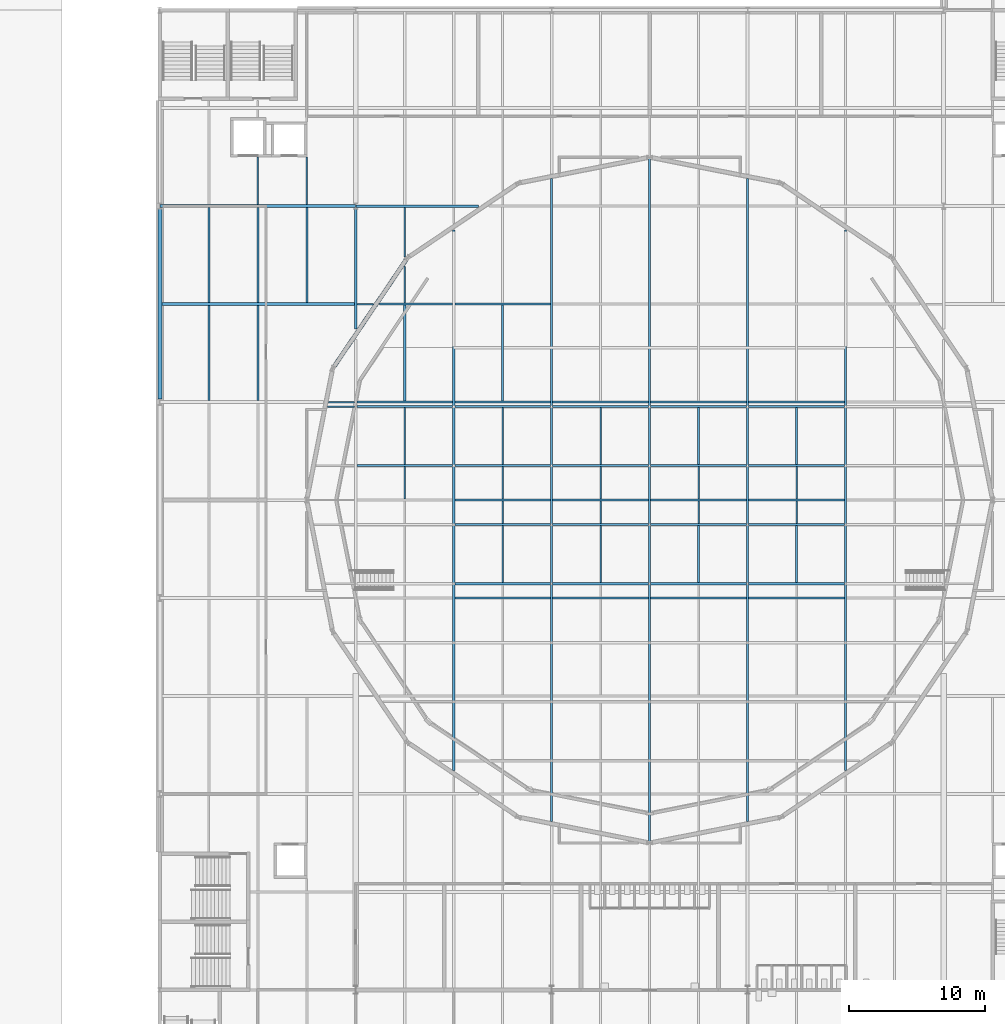
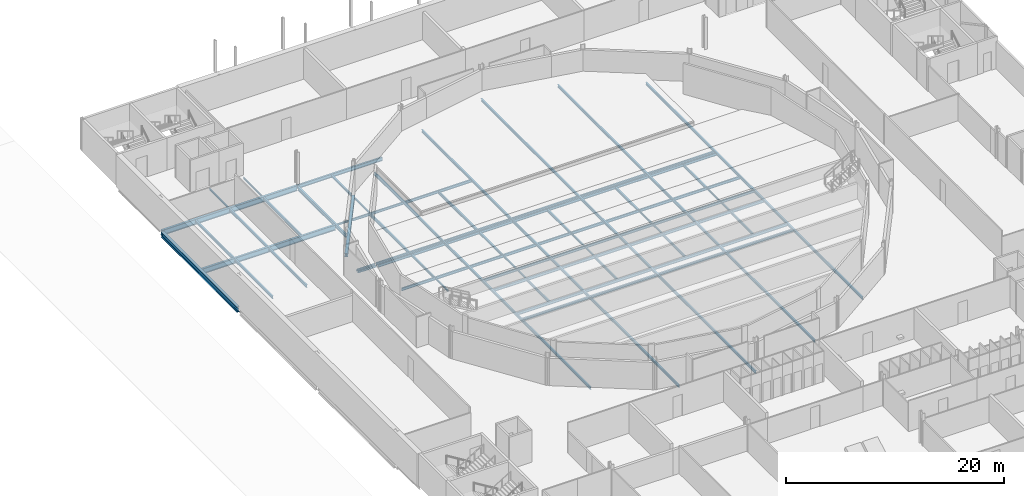
# One storey, part 33 of 90: 76 beams.
"""IFC4 building model written with IfcOpenShell, lengths in metres."""

import ifcopenshell
import ifcopenshell.guid

model = None  # the IFC model being written
_history = None  # IfcOwnerHistory: only IFC2X3 demands one
_inside = {}  # id of a spatial element -> (the spatial element, [elements in it])
_under = {}  # id of a project, library or spatial element -> (it, [spatial elements below it])
_declared = {}  # id of a project -> (the project, [libraries it declares])
_typed = {}  # id of a type object -> (the type object, [elements of that type])
_made_of = {}  # id of a material, layer set ... -> (it, [elements and type objects made of it])


def new_model(schema):
    """Start an empty IFC model of exactly this schema.

    Asked for "IFC4X3", IfcOpenShell would pick the latest addendum, in which some entities
    have other attributes; the version numbers below select the first issue.
    IFC2X3 requires an IfcOwnerHistory on every rooted entity: one is made here for all.
    """
    global model, _history
    if schema == "IFC4X3":
        model = ifcopenshell.file(schema_version=(4, 3, 0, 0))
    else:
        model = ifcopenshell.file(schema=schema)
    _inside.clear()
    _under.clear()
    _declared.clear()
    _typed.clear()
    _made_of.clear()
    _history = None
    if model.schema == "IFC2X3":
        org = make("IfcOrganization", Name="unknown")
        user = make(
            "IfcPersonAndOrganization",
            ThePerson=make("IfcPerson", FamilyName="unknown"),
            TheOrganization=org,
        )
        app = make(
            "IfcApplication",
            ApplicationDeveloper=org,
            Version="unknown",
            ApplicationFullName="unknown",
            ApplicationIdentifier="unknown",
        )
        _history = make(
            "IfcOwnerHistory",
            OwningUser=user,
            OwningApplication=app,
            ChangeAction="ADDED",
            CreationDate=0,
        )
    return model


def make(cls, **values):
    """One entity of the class cls with the attributes given. An attribute that is None is left unset."""
    return model.create_entity(
        cls, **{name: value for name, value in values.items() if value is not None}
    )


def rooted(cls, **values):
    """An entity with a GlobalId (a new one), such as an element, a storey or a relation."""
    return make(cls, GlobalId=ifcopenshell.guid.new(), OwnerHistory=_history, **values)


def si_unit(unit_type, name, prefix=None):
    """IfcSIUnit, for example si_unit("LENGTHUNIT", "METRE", prefix="MILLI")."""
    return make("IfcSIUnit", UnitType=unit_type, Prefix=prefix, Name=name)


def assignment(units):
    """IfcUnitAssignment: the units of a project."""
    return None if units is None else make("IfcUnitAssignment", Units=units)


def point(xyz):
    """IfcCartesianPoint."""
    return None if xyz is None else make("IfcCartesianPoint", Coordinates=xyz)


def direction(xyz):
    """IfcDirection."""
    return None if xyz is None else make("IfcDirection", DirectionRatios=xyz)


def frame(location, z_axis=None, x_axis=None):
    """IfcAxis2Placement3D, a coordinate frame: its origin and axes. An axis left out is left unset."""
    return make(
        "IfcAxis2Placement3D",
        Location=point(location),
        Axis=direction(z_axis),
        RefDirection=direction(x_axis),
    )


def frame_2d(location, x_axis=None):
    """IfcAxis2Placement2D, a coordinate frame in the plane: its origin and x axis."""
    return make(
        "IfcAxis2Placement2D", Location=point(location), RefDirection=direction(x_axis)
    )


def origin():
    """The frame at (0, 0, 0) with its axes left unset."""
    return frame((0.0, 0.0, 0.0))


def origin_2d():
    """The frame at (0, 0) in the plane with its x axis left unset."""
    return frame_2d((0.0, 0.0))


def place(relative_to, where):
    """IfcLocalPlacement: puts the frame where relative to a parent placement (None: the world)."""
    return make(
        "IfcLocalPlacement", PlacementRelTo=relative_to, RelativePlacement=where
    )


def context(
    kind, dimensions, precision=None, world=None, true_north=None, identifier=None
):
    """IfcGeometricRepresentationContext, for example the 3D "Model" context."""
    return make(
        "IfcGeometricRepresentationContext",
        ContextIdentifier=identifier,
        ContextType=kind,
        CoordinateSpaceDimension=dimensions,
        Precision=precision,
        WorldCoordinateSystem=world,
        TrueNorth=true_north,
    )


def subcontext(parent, identifier, kind, view, scale=None):
    """IfcGeometricRepresentationSubContext, for example "Body" below "Model"."""
    return make(
        "IfcGeometricRepresentationSubContext",
        ContextIdentifier=identifier,
        ContextType=kind,
        ParentContext=parent,
        TargetScale=scale,
        TargetView=view,
    )


def project(units=None, contexts=None):
    """IfcProject with its units and contexts."""
    return rooted(
        "IfcProject",
        Name="project",
        RepresentationContexts=contexts,
        UnitsInContext=assignment(units),
    )


def spatial(cls, under=None, at=None, **own):
    """A site, building, storey or space (cls), placed at a placement, below another one or the project."""
    s = rooted(cls, ObjectPlacement=at, **own)
    if under is not None:
        _under.setdefault(under.id(), (under, []))[1].append(s)
    return s


def profile(cls, at=None, kind="AREA", **sizes):
    """A parametric profile (cls). Its sizes go by their IFC names, for example OverallWidth=200.0."""
    return make(cls, ProfileType=kind, Position=at, **sizes)


def i_section(**sizes):
    """IfcIShapeProfileDef."""
    return profile("IfcIShapeProfileDef", **sizes)


def extrude(swept, where, along, depth):
    """IfcExtrudedAreaSolid: the profile swept, set in the frame where, extruded along a direction by depth."""
    return make(
        "IfcExtrudedAreaSolid",
        SweptArea=swept,
        Position=where,
        ExtrudedDirection=direction(along),
        Depth=depth,
    )


def shape(context_of_items, identifier, shape_type, items):
    """IfcShapeRepresentation: the items that make up one representation, for example the "Body"."""
    return make(
        "IfcShapeRepresentation",
        ContextOfItems=context_of_items,
        RepresentationIdentifier=identifier,
        RepresentationType=shape_type,
        Items=items,
    )


def material(Name=None, Category=None):
    """IfcMaterial."""
    return make("IfcMaterial", Name=Name, Category=Category)


def material_profile(
    of_material, cross_section, Name=None, Category=None, Priority=None
):
    """IfcMaterialProfile: a cross section and its material."""
    return make(
        "IfcMaterialProfile",
        Name=Name,
        Material=of_material,
        Profile=cross_section,
        Priority=Priority,
        Category=Category,
    )


def profile_set(profiles, Name=None, composite=None):
    """IfcMaterialProfileSet."""
    return make(
        "IfcMaterialProfileSet",
        Name=Name,
        MaterialProfiles=profiles,
        CompositeProfile=composite,
    )


def made_of(thing, what):
    """Note that an element or type object is made of a material, layer set ...; save() writes the relation."""
    if what is not None:
        _made_of.setdefault(what.id(), (what, []))[1].append(thing)
    return thing


def type_object(cls, material=None, **own):
    """A type object (cls), such as IfcWallType, which elements share."""
    return made_of(rooted(cls, **own), material)


def element(
    cls,
    number,
    at=None,
    inside=None,
    cuts=None,
    type_object=None,
    material=None,
    context=None,
    identifier="Body",
    shape_type=None,
    held_by="IfcProductDefinitionShape",
    body=None,
    shapes=None,
    **own,
):
    """One element of the class cls, such as IfcWall. Its Tag is "e" and its number.

    at: its placement. inside: the storey or other place that contains it. cuts: it is an
    opening in that element (IfcRelVoidsElement). A single representation is given by context,
    identifier, shape_type and body (its items); several are given by shapes. held_by: the class
    of the entity that holds the representations. save() writes the other relations.
    """
    e = rooted(cls, Tag="e%d" % number, ObjectPlacement=at, **own)
    if body is not None:
        shapes = [shape(context, identifier, shape_type, body)]
    if shapes is not None:
        e.Representation = make(held_by, Representations=shapes)
    if inside is not None:
        _inside.setdefault(inside.id(), (inside, []))[1].append(e)
    if cuts is not None:
        rooted(
            "IfcRelVoidsElement", RelatingBuildingElement=cuts, RelatedOpeningElement=e
        )
    if type_object is not None:
        _typed.setdefault(type_object.id(), (type_object, []))[1].append(e)
    return made_of(e, material)


def aggregate(whole, parts):
    """IfcRelAggregates: a whole, such as a stair, and the parts it consists of."""
    return rooted("IfcRelAggregates", RelatingObject=whole, RelatedObjects=parts)


def save(model, path):
    """Write the relations noted so far, then the file.

    IfcRelAggregates (storeys below a building ...), IfcRelContainedInSpatialStructure (elements
    in a storey), IfcRelDefinesByType, IfcRelAssociatesMaterial and IfcRelDeclares: one each for
    every whole, place, type object, material and project.
    """
    for whole, parts in _under.values():
        aggregate(whole, parts)
    for where, things in _inside.values():
        rooted(
            "IfcRelContainedInSpatialStructure",
            RelatedElements=things,
            RelatingStructure=where,
        )
    for kind, things in _typed.values():
        rooted("IfcRelDefinesByType", RelatedObjects=things, RelatingType=kind)
    for what, things in _made_of.values():
        rooted("IfcRelAssociatesMaterial", RelatedObjects=things, RelatingMaterial=what)
    for by, libraries in _declared.values():
        rooted("IfcRelDeclares", RelatingContext=by, RelatedDefinitions=libraries)
    model.write(path)


model = new_model("IFC4")

# Units and contexts
model_context = context("Model", 3, precision=1e-05, world=origin(), true_north=direction((0.0, 1.0)))
body_context = subcontext(model_context, "Body", "Model", "MODEL_VIEW")
ifc_project = project(units=[si_unit("LENGTHUNIT", "METRE"), si_unit("AREAUNIT", "SQUARE_METRE"), si_unit("VOLUMEUNIT", "CUBIC_METRE"), si_unit("PLANEANGLEUNIT", "RADIAN"), si_unit("MASSUNIT", "GRAM", prefix="KILO")], contexts=[model_context])

# Site, building, storey
site_placement = place(None, origin())
site = spatial("IfcSite", under=ifc_project, at=site_placement, CompositionType="ELEMENT")
building_placement = place(site_placement, origin())
building = spatial("IfcBuilding", under=site, at=building_placement, Name="Kupolbacken Congress Centre", CompositionType="ELEMENT")
storey_placement = place(building_placement, frame((0.0, 0.0, 3.60009765625)))
storey = spatial("IfcBuildingStorey", under=building, at=storey_placement, Name="L01", CompositionType="ELEMENT", Elevation=3.60009765625)

# Beams
ifc_material_1 = material(Name="Steel S355", Category="steel")
ifc_material_profile_1 = material_profile(ifc_material_1, i_section(OverallWidth=0.10009765625, OverallDepth=0.199951171875, WebThickness=0.005615234375, FlangeThickness=0.008544921875, FilletRadius=0.011962890625, at=origin_2d()), Name="IPE 200")
ifc_profile_set_1 = profile_set([ifc_material_profile_1], Name="Steel S355")
beam_type_1 = type_object("IfcBeamType", Name="B01 beam IPE 200", PredefinedType="BEAM", material=ifc_profile_set_1)
beam_1_placement = place(storey_placement, frame((21.68994140625, 100.800048828125, -0.2900390625), z_axis=(1.0, 0.0, 0.0), x_axis=(0.0, 1.0, 0.0)))
element("IfcBeam", 1, at=beam_1_placement, inside=storey, type_object=beam_type_1, Name="S/floor/P/L01/R058", PredefinedType="BEAM", context=body_context, shape_type="SweptSolid", body=[
    extrude(i_section(OverallWidth=0.10009765625, OverallDepth=0.199951171875, WebThickness=0.005615234375, FlangeThickness=0.008544921875, FilletRadius=0.011962890625, at=origin_2d()), origin(), (0.0, 0.0, 1.0), 1.200927734375),
])
for number, where, z_axis, x_axis, name in (
    (2, (14.39990234375, 108.110107421875, -0.2900390625), (0.0, 1.0, 0.0), (-1.0, 0.0, 0.0), "S/floor/P/L01/S093"),
    (3, (18.0, 108.110107421875, -0.2900390625), (0.0, 1.0, 0.0), (-1.0, 0.0, 0.0), "S/floor/P/L01/S170"),
):
    element("IfcBeam", number, at=place(storey_placement, frame(where, z_axis=z_axis, x_axis=x_axis)), inside=storey, type_object=beam_type_1, Name=name, PredefinedType="BEAM", context=body_context, shape_type="SweptSolid", body=[
        extrude(i_section(OverallWidth=0.10009765625, OverallDepth=0.199951171875, WebThickness=0.005615234375, FlangeThickness=0.008544921875, FilletRadius=0.011962890625, at=origin_2d()), origin(), (0.0, 0.0, 1.0), 3.489990234375),
    ])
beam_2_placement = place(storey_placement, frame((19.580322265625, 93.60009765625, -0.2900390625), z_axis=(1.0, 0.0, 0.0), x_axis=(0.0, 1.0, 0.0)))
element("IfcBeam", 4, at=beam_2_placement, inside=storey, type_object=beam_type_1, Name="S/floor/PL/L01/R034", PredefinedType="BEAM", context=body_context, shape_type="SweptSolid", body=[
    extrude(i_section(OverallWidth=0.10009765625, OverallDepth=0.199951171875, WebThickness=0.005615234375, FlangeThickness=0.008544921875, FilletRadius=0.011962890625, at=origin_2d()), origin(), (0.0, 0.0, 1.0), 1.944580078125),
])
beam_3_placement = place(storey_placement, frame((19.513671875, 93.261962890625, -0.2900390625), z_axis=(1.0, 0.0, 0.0), x_axis=(0.0, 1.0, 0.0)))
element("IfcBeam", 5, at=beam_3_placement, inside=storey, type_object=beam_type_1, Name="S/floor/PL/L01/R052", PredefinedType="BEAM", context=body_context, shape_type="SweptSolid", body=[
    extrude(i_section(OverallWidth=0.10009765625, OverallDepth=0.199951171875, WebThickness=0.005615234375, FlangeThickness=0.008544921875, FilletRadius=0.011962890625, at=origin_2d()), origin(), (0.0, 0.0, 1.0), 2.01123046875),
])
beam_4_placement = place(storey_placement, frame((25.199951171875, 86.47509765625, -0.2900390625), z_axis=(0.0, 1.0, 0.0), x_axis=(-1.0, 0.0, 0.0)))
element("IfcBeam", 6, at=beam_4_placement, inside=storey, type_object=beam_type_1, Name="S/floor/PL/L01/S110", PredefinedType="BEAM", context=body_context, shape_type="SweptSolid", body=[
    extrude(i_section(OverallWidth=0.10009765625, OverallDepth=0.199951171875, WebThickness=0.005615234375, FlangeThickness=0.008544921875, FilletRadius=0.011962890625, at=origin_2d()), origin(), (0.0, 0.0, 1.0), 2.375),
])
beam_5_placement = place(storey_placement, frame((25.199951171875, 100.867431640625, -0.2900390625), z_axis=(0.0, 1.0, 0.0), x_axis=(-1.0, 0.0, 0.0)))
element("IfcBeam", 7, at=beam_5_placement, inside=storey, type_object=beam_type_1, Name="S/floor/PL/L01/S113", PredefinedType="BEAM", context=body_context, shape_type="SweptSolid", body=[
    extrude(i_section(OverallWidth=0.10009765625, OverallDepth=0.199951171875, WebThickness=0.005615234375, FlangeThickness=0.008544921875, FilletRadius=0.011962890625, at=origin_2d()), origin(), (0.0, 0.0, 1.0), 2.69384765625),
])
beam_6_placement = place(storey_placement, frame((32.39990234375, 84.662109375, -0.2900390625), z_axis=(0.0, 1.0, 0.0), x_axis=(-1.0, 0.0, 0.0)))
element("IfcBeam", 8, at=beam_6_placement, inside=storey, type_object=beam_type_1, Name="S/floor/PL/L01/S121", PredefinedType="BEAM", context=body_context, shape_type="SweptSolid", body=[
    extrude(i_section(OverallWidth=0.10009765625, OverallDepth=0.199951171875, WebThickness=0.005615234375, FlangeThickness=0.008544921875, FilletRadius=0.011962890625, at=origin_2d()), origin(), (0.0, 0.0, 1.0), 1.662841796875),
])
beam_7_placement = place(storey_placement, frame((32.39990234375, 86.47509765625, -0.2900390625), z_axis=(0.0, 1.0, 0.0), x_axis=(-1.0, 0.0, 0.0)))
element("IfcBeam", 9, at=beam_7_placement, inside=storey, type_object=beam_type_1, Name="S/floor/PL/L01/S122", PredefinedType="BEAM", context=body_context, shape_type="SweptSolid", body=[
    extrude(i_section(OverallWidth=0.10009765625, OverallDepth=0.199951171875, WebThickness=0.005615234375, FlangeThickness=0.008544921875, FilletRadius=0.011962890625, at=origin_2d()), origin(), (0.0, 0.0, 1.0), 2.375),
])
beam_8_placement = place(storey_placement, frame((39.60009765625, 84.662109375, -0.2900390625), z_axis=(0.0, 1.0, 0.0), x_axis=(-1.0, 0.0, 0.0)))
element("IfcBeam", 10, at=beam_8_placement, inside=storey, type_object=beam_type_1, Name="S/floor/PL/L01/S134", PredefinedType="BEAM", context=body_context, shape_type="SweptSolid", body=[
    extrude(i_section(OverallWidth=0.10009765625, OverallDepth=0.199951171875, WebThickness=0.005615234375, FlangeThickness=0.008544921875, FilletRadius=0.011962890625, at=origin_2d()), origin(), (0.0, 0.0, 1.0), 1.662841796875),
])
beam_9_placement = place(storey_placement, frame((39.60009765625, 86.47509765625, -0.2900390625), z_axis=(0.0, 1.0, 0.0), x_axis=(-1.0, 0.0, 0.0)))
element("IfcBeam", 11, at=beam_9_placement, inside=storey, type_object=beam_type_1, Name="S/floor/PL/L01/S135", PredefinedType="BEAM", context=body_context, shape_type="SweptSolid", body=[
    extrude(i_section(OverallWidth=0.10009765625, OverallDepth=0.199951171875, WebThickness=0.005615234375, FlangeThickness=0.008544921875, FilletRadius=0.011962890625, at=origin_2d()), origin(), (0.0, 0.0, 1.0), 2.375),
])
beam_10_placement = place(storey_placement, frame((46.800048828125, 84.662109375, -0.2900390625), z_axis=(0.0, 1.0, 0.0), x_axis=(-1.0, 0.0, 0.0)))
element("IfcBeam", 12, at=beam_10_placement, inside=storey, type_object=beam_type_1, Name="S/floor/PL/L01/S147", PredefinedType="BEAM", context=body_context, shape_type="SweptSolid", body=[
    extrude(i_section(OverallWidth=0.10009765625, OverallDepth=0.199951171875, WebThickness=0.005615234375, FlangeThickness=0.008544921875, FilletRadius=0.011962890625, at=origin_2d()), origin(), (0.0, 0.0, 1.0), 1.662841796875),
])
beam_11_placement = place(storey_placement, frame((46.800048828125, 86.47509765625, -0.2900390625), z_axis=(0.0, 1.0, 0.0), x_axis=(-1.0, 0.0, 0.0)))
element("IfcBeam", 13, at=beam_11_placement, inside=storey, type_object=beam_type_1, Name="S/floor/PL/L01/S148", PredefinedType="BEAM", context=body_context, shape_type="SweptSolid", body=[
    extrude(i_section(OverallWidth=0.10009765625, OverallDepth=0.199951171875, WebThickness=0.005615234375, FlangeThickness=0.008544921875, FilletRadius=0.011962890625, at=origin_2d()), origin(), (0.0, 0.0, 1.0), 2.375),
])
beam_12_placement = place(storey_placement, frame((54.0, 84.662109375, -0.2900390625), z_axis=(0.0, 1.0, 0.0), x_axis=(-1.0, 0.0, 0.0)))
element("IfcBeam", 14, at=beam_12_placement, inside=storey, type_object=beam_type_1, Name="S/floor/PL/L01/S160", PredefinedType="BEAM", context=body_context, shape_type="SweptSolid", body=[
    extrude(i_section(OverallWidth=0.10009765625, OverallDepth=0.199951171875, WebThickness=0.005615234375, FlangeThickness=0.008544921875, FilletRadius=0.011962890625, at=origin_2d()), origin(), (0.0, 0.0, 1.0), 1.662841796875),
])
beam_13_placement = place(storey_placement, frame((54.0, 86.47509765625, -0.2900390625), z_axis=(0.0, 1.0, 0.0), x_axis=(-1.0, 0.0, 0.0)))
element("IfcBeam", 15, at=beam_13_placement, inside=storey, type_object=beam_type_1, Name="S/floor/PL/L01/S161", PredefinedType="BEAM", context=body_context, shape_type="SweptSolid", body=[
    extrude(i_section(OverallWidth=0.10009765625, OverallDepth=0.199951171875, WebThickness=0.005615234375, FlangeThickness=0.008544921875, FilletRadius=0.011962890625, at=origin_2d()), origin(), (0.0, 0.0, 1.0), 2.375),
])
ifc_material_2 = material(Name="Steel S355", Category="steel")
ifc_material_profile_2 = material_profile(ifc_material_2, i_section(OverallWidth=0.135009765625, OverallDepth=0.27001953125, WebThickness=0.006591796875, FlangeThickness=0.01025390625, FilletRadius=0.014892578125, at=origin_2d()), Name="IPE 270")
ifc_profile_set_2 = profile_set([ifc_material_profile_2], Name="Steel S355")
beam_type_2 = type_object("IfcBeamType", Name="B03 beam IPE 270", PredefinedType="BEAM", material=ifc_profile_set_2)
beam_14_placement = place(storey_placement, frame((25.199951171875, 104.271728515625, -0.3251953125), z_axis=(0.0, 1.0, 0.0), x_axis=(-1.0, 0.0, 0.0)))
element("IfcBeam", 16, at=beam_14_placement, inside=storey, type_object=beam_type_2, Name="S/floor/P/L01/S099", PredefinedType="BEAM", context=body_context, shape_type="SweptSolid", body=[
    extrude(i_section(OverallWidth=0.135009765625, OverallDepth=0.27001953125, WebThickness=0.006591796875, FlangeThickness=0.01025390625, FilletRadius=0.014892578125, at=origin_2d()), origin(), (0.0, 0.0, 1.0), 3.63818359375),
])
beam_15_placement = place(storey_placement, frame((23.33203125, 100.800048828125, -0.3251953125), z_axis=(1.0, 0.0, 0.0), x_axis=(0.0, 1.0, 0.0)))
element("IfcBeam", 17, at=beam_15_placement, inside=storey, type_object=beam_type_2, Name="S/floor/PL/L01/R042", PredefinedType="BEAM", context=body_context, shape_type="SweptSolid", body=[
    extrude(i_section(OverallWidth=0.135009765625, OverallDepth=0.27001953125, WebThickness=0.006591796875, FlangeThickness=0.01025390625, FilletRadius=0.014892578125, at=origin_2d()), origin(), (0.0, 0.0, 1.0), 5.39306640625),
])
for number, where, z_axis, x_axis, name in (
    (18, (25.199951171875, 89.0, -0.3251953125), (0.0, 1.0, 0.0), (-1.0, 0.0, 0.0), "S/floor/PL/L01/S111"),
    (19, (32.39990234375, 80.324951171875, -0.3251953125), (0.0, 1.0, 0.0), (-1.0, 0.0, 0.0), "S/floor/PL/L01/S120"),
    (20, (32.39990234375, 89.0, -0.3251953125), (0.0, 1.0, 0.0), (-1.0, 0.0, 0.0), "S/floor/PL/L01/S123"),
    (21, (39.60009765625, 80.324951171875, -0.3251953125), (0.0, 1.0, 0.0), (-1.0, 0.0, 0.0), "S/floor/PL/L01/S133"),
    (22, (39.60009765625, 89.0, -0.3251953125), (0.0, 1.0, 0.0), (-1.0, 0.0, 0.0), "S/floor/PL/L01/S136"),
    (23, (46.800048828125, 80.324951171875, -0.3251953125), (0.0, 1.0, 0.0), (-1.0, 0.0, 0.0), "S/floor/PL/L01/S146"),
    (24, (46.800048828125, 89.0, -0.3251953125), (0.0, 1.0, 0.0), (-1.0, 0.0, 0.0), "S/floor/PL/L01/S149"),
    (25, (54.0, 80.324951171875, -0.3251953125), (0.0, 1.0, 0.0), (-1.0, 0.0, 0.0), "S/floor/PL/L01/S159"),
    (26, (54.0, 89.0, -0.3251953125), (0.0, 1.0, 0.0), (-1.0, 0.0, 0.0), "S/floor/PL/L01/S162"),
):
    element("IfcBeam", number, at=place(storey_placement, frame(where, z_axis=z_axis, x_axis=x_axis)), inside=storey, type_object=beam_type_2, Name=name, PredefinedType="BEAM", context=body_context, shape_type="SweptSolid", body=[
        extrude(i_section(OverallWidth=0.135009765625, OverallDepth=0.27001953125, WebThickness=0.006591796875, FlangeThickness=0.01025390625, FilletRadius=0.014892578125, at=origin_2d()), origin(), (0.0, 0.0, 1.0), 4.18701171875),
    ])
ifc_material_3 = material(Name="Steel S355", Category="steel")
ifc_material_profile_3 = material_profile(ifc_material_3, i_section(OverallWidth=0.14990234375, OverallDepth=0.300048828125, WebThickness=0.007080078125, FlangeThickness=0.0107421875, FilletRadius=0.014892578125, at=origin_2d()), Name="IPE 300")
ifc_profile_set_3 = profile_set([ifc_material_profile_3], Name="Steel S355")
beam_type_3 = type_object("IfcBeamType", Name="B04 beam IPE 300", PredefinedType="BEAM", material=ifc_profile_set_3)
beam_16_placement = place(storey_placement, frame((10.800048828125, 93.705078125, -0.340087890625), z_axis=(0.0, 1.0, 0.0), x_axis=(-1.0, 0.0, 0.0)))
element("IfcBeam", 27, at=beam_16_placement, inside=storey, type_object=beam_type_3, Name="S/floor/P/L01/S081", PredefinedType="BEAM", context=body_context, shape_type="SweptSolid", body=[
    extrude(i_section(OverallWidth=0.14990234375, OverallDepth=0.300048828125, WebThickness=0.007080078125, FlangeThickness=0.0107421875, FilletRadius=0.014892578125, at=origin_2d()), origin(), (0.0, 0.0, 1.0), 6.98486328125),
])
beam_17_placement = place(storey_placement, frame((10.800048828125, 100.909912109375, -0.340087890625), z_axis=(0.0, 1.0, 0.0), x_axis=(-1.0, 0.0, 0.0)))
element("IfcBeam", 28, at=beam_17_placement, inside=storey, type_object=beam_type_3, Name="S/floor/P/L01/S082", PredefinedType="BEAM", context=body_context, shape_type="SweptSolid", body=[
    extrude(i_section(OverallWidth=0.14990234375, OverallDepth=0.300048828125, WebThickness=0.007080078125, FlangeThickness=0.0107421875, FilletRadius=0.014892578125, at=origin_2d()), origin(), (0.0, 0.0, 1.0), 6.97998046875),
])
beam_18_placement = place(storey_placement, frame((14.39990234375, 93.705078125, -0.340087890625), z_axis=(0.0, 1.0, 0.0), x_axis=(-1.0, 0.0, 0.0)))
element("IfcBeam", 29, at=beam_18_placement, inside=storey, type_object=beam_type_3, Name="S/floor/P/L01/S091", PredefinedType="BEAM", context=body_context, shape_type="SweptSolid", body=[
    extrude(i_section(OverallWidth=0.14990234375, OverallDepth=0.300048828125, WebThickness=0.007080078125, FlangeThickness=0.0107421875, FilletRadius=0.014892578125, at=origin_2d()), origin(), (0.0, 0.0, 1.0), 6.98486328125),
])
for number, where, z_axis, x_axis, name in (
    (30, (14.39990234375, 100.909912109375, -0.340087890625), (0.0, 1.0, 0.0), (-1.0, 0.0, 0.0), "S/floor/P/L01/S092"),
    (31, (18.0, 100.909912109375, -0.340087890625), (0.0, 1.0, 0.0), (-1.0, 0.0, 0.0), "S/floor/P/L01/S169"),
):
    element("IfcBeam", number, at=place(storey_placement, frame(where, z_axis=z_axis, x_axis=x_axis)), inside=storey, type_object=beam_type_3, Name=name, PredefinedType="BEAM", context=body_context, shape_type="SweptSolid", body=[
        extrude(i_section(OverallWidth=0.14990234375, OverallDepth=0.300048828125, WebThickness=0.007080078125, FlangeThickness=0.0107421875, FilletRadius=0.014892578125, at=origin_2d()), origin(), (0.0, 0.0, 1.0), 6.97998046875),
    ])
beam_19_placement = place(storey_placement, frame((28.800048828125, 66.537109375, -0.340087890625), z_axis=(0.0, 1.0, 0.0), x_axis=(-1.0, 0.0, 0.0)))
element("IfcBeam", 32, at=beam_19_placement, inside=storey, type_object=beam_type_3, Name="S/floor/PL/L01/G002", PredefinedType="BEAM", context=body_context, shape_type="SweptSolid", body=[
    extrude(i_section(OverallWidth=0.14990234375, OverallDepth=0.300048828125, WebThickness=0.007080078125, FlangeThickness=0.0107421875, FilletRadius=0.014892578125, at=origin_2d()), origin(), (0.0, 0.0, 1.0), 39.725830078125),
])
beam_20_placement = place(storey_placement, frame((36.0, 62.78515625, -0.340087890625), z_axis=(0.0, 1.0, 0.0), x_axis=(-1.0, 0.0, 0.0)))
element("IfcBeam", 33, at=beam_20_placement, inside=storey, type_object=beam_type_3, Name="S/floor/PL/L01/G003", PredefinedType="BEAM", context=body_context, shape_type="SweptSolid", body=[
    extrude(i_section(OverallWidth=0.14990234375, OverallDepth=0.300048828125, WebThickness=0.007080078125, FlangeThickness=0.0107421875, FilletRadius=0.014892578125, at=origin_2d()), origin(), (0.0, 0.0, 1.0), 47.2294921875),
])
beam_21_placement = place(storey_placement, frame((43.199951171875, 61.206787109375, -0.340087890625), z_axis=(0.0, 1.0, 0.0), x_axis=(-1.0, 0.0, 0.0)))
element("IfcBeam", 34, at=beam_21_placement, inside=storey, type_object=beam_type_3, Name="S/floor/PL/L01/G004", PredefinedType="BEAM", context=body_context, shape_type="SweptSolid", body=[
    extrude(i_section(OverallWidth=0.14990234375, OverallDepth=0.300048828125, WebThickness=0.007080078125, FlangeThickness=0.0107421875, FilletRadius=0.014892578125, at=origin_2d()), origin(), (0.0, 0.0, 1.0), 50.386474609375),
])
beam_22_placement = place(storey_placement, frame((50.39990234375, 62.78515625, -0.340087890625), z_axis=(0.0, 1.0, 0.0), x_axis=(-1.0, 0.0, 0.0)))
element("IfcBeam", 35, at=beam_22_placement, inside=storey, type_object=beam_type_3, Name="S/floor/PL/L01/G005", PredefinedType="BEAM", context=body_context, shape_type="SweptSolid", body=[
    extrude(i_section(OverallWidth=0.14990234375, OverallDepth=0.300048828125, WebThickness=0.007080078125, FlangeThickness=0.0107421875, FilletRadius=0.014892578125, at=origin_2d()), origin(), (0.0, 0.0, 1.0), 47.2294921875),
])
beam_23_placement = place(storey_placement, frame((57.60009765625, 66.537109375, -0.340087890625), z_axis=(0.0, 1.0, 0.0), x_axis=(-1.0, 0.0, 0.0)))
element("IfcBeam", 36, at=beam_23_placement, inside=storey, type_object=beam_type_3, Name="S/floor/PL/L01/G006", PredefinedType="BEAM", context=body_context, shape_type="SweptSolid", body=[
    extrude(i_section(OverallWidth=0.14990234375, OverallDepth=0.300048828125, WebThickness=0.007080078125, FlangeThickness=0.0107421875, FilletRadius=0.014892578125, at=origin_2d()), origin(), (0.0, 0.0, 1.0), 39.725830078125),
])
for number, where, z_axis, x_axis, name in (
    (37, (28.875, 79.199951171875, -0.340087890625), (1.0, 0.0, 0.0), (0.0, 1.0, 0.0), "S/floor/PL/L01/R020"),
    (38, (36.074951171875, 79.199951171875, -0.340087890625), (1.0, 0.0, 0.0), (0.0, 1.0, 0.0), "S/floor/PL/L01/R021"),
    (39, (43.27490234375, 79.199951171875, -0.340087890625), (1.0, 0.0, 0.0), (0.0, 1.0, 0.0), "S/floor/PL/L01/R022"),
):
    element("IfcBeam", number, at=place(storey_placement, frame(where, z_axis=z_axis, x_axis=x_axis)), inside=storey, type_object=beam_type_3, Name=name, PredefinedType="BEAM", context=body_context, shape_type="SweptSolid", body=[
        extrude(i_section(OverallWidth=0.14990234375, OverallDepth=0.300048828125, WebThickness=0.007080078125, FlangeThickness=0.0107421875, FilletRadius=0.014892578125, at=origin_2d()), origin(), (0.0, 0.0, 1.0), 7.050048828125),
    ])
beam_24_placement = place(storey_placement, frame((50.47509765625, 79.199951171875, -0.340087890625), z_axis=(1.0, 0.0, 0.0), x_axis=(0.0, 1.0, 0.0)))
element("IfcBeam", 40, at=beam_24_placement, inside=storey, type_object=beam_type_3, Name="S/floor/PL/L01/R023", PredefinedType="BEAM", context=body_context, shape_type="SweptSolid", body=[
    extrude(i_section(OverallWidth=0.14990234375, OverallDepth=0.300048828125, WebThickness=0.007080078125, FlangeThickness=0.0107421875, FilletRadius=0.014892578125, at=origin_2d()), origin(), (0.0, 0.0, 1.0), 7.0498046875),
])
for number, where, z_axis, x_axis, name in (
    (41, (28.875, 86.39990234375, -0.340087890625), (1.0, 0.0, 0.0), (0.0, 1.0, 0.0), "S/floor/PL/L01/R028"),
    (42, (36.074951171875, 86.39990234375, -0.340087890625), (1.0, 0.0, 0.0), (0.0, 1.0, 0.0), "S/floor/PL/L01/R029"),
    (43, (43.27490234375, 86.39990234375, -0.340087890625), (1.0, 0.0, 0.0), (0.0, 1.0, 0.0), "S/floor/PL/L01/R030"),
):
    element("IfcBeam", number, at=place(storey_placement, frame(where, z_axis=z_axis, x_axis=x_axis)), inside=storey, type_object=beam_type_3, Name=name, PredefinedType="BEAM", context=body_context, shape_type="SweptSolid", body=[
        extrude(i_section(OverallWidth=0.14990234375, OverallDepth=0.300048828125, WebThickness=0.007080078125, FlangeThickness=0.0107421875, FilletRadius=0.014892578125, at=origin_2d()), origin(), (0.0, 0.0, 1.0), 7.050048828125),
    ])
beam_25_placement = place(storey_placement, frame((50.47509765625, 86.39990234375, -0.340087890625), z_axis=(1.0, 0.0, 0.0), x_axis=(0.0, 1.0, 0.0)))
element("IfcBeam", 44, at=beam_25_placement, inside=storey, type_object=beam_type_3, Name="S/floor/PL/L01/R031", PredefinedType="BEAM", context=body_context, shape_type="SweptSolid", body=[
    extrude(i_section(OverallWidth=0.14990234375, OverallDepth=0.300048828125, WebThickness=0.007080078125, FlangeThickness=0.0107421875, FilletRadius=0.014892578125, at=origin_2d()), origin(), (0.0, 0.0, 1.0), 7.0498046875),
])
for number, where, z_axis, x_axis, name in (
    (45, (21.675048828125, 93.60009765625, -0.340087890625), (1.0, 0.0, 0.0), (0.0, 1.0, 0.0), "S/floor/PL/L01/R035"),
    (46, (28.875, 93.60009765625, -0.340087890625), (1.0, 0.0, 0.0), (0.0, 1.0, 0.0), "S/floor/PL/L01/R036"),
    (47, (36.074951171875, 93.60009765625, -0.340087890625), (1.0, 0.0, 0.0), (0.0, 1.0, 0.0), "S/floor/PL/L01/R037"),
    (48, (43.27490234375, 93.60009765625, -0.340087890625), (1.0, 0.0, 0.0), (0.0, 1.0, 0.0), "S/floor/PL/L01/R038"),
):
    element("IfcBeam", number, at=place(storey_placement, frame(where, z_axis=z_axis, x_axis=x_axis)), inside=storey, type_object=beam_type_3, Name=name, PredefinedType="BEAM", context=body_context, shape_type="SweptSolid", body=[
        extrude(i_section(OverallWidth=0.14990234375, OverallDepth=0.300048828125, WebThickness=0.007080078125, FlangeThickness=0.0107421875, FilletRadius=0.014892578125, at=origin_2d()), origin(), (0.0, 0.0, 1.0), 7.050048828125),
    ])
beam_26_placement = place(storey_placement, frame((50.47509765625, 93.60009765625, -0.340087890625), z_axis=(1.0, 0.0, 0.0), x_axis=(0.0, 1.0, 0.0)))
element("IfcBeam", 49, at=beam_26_placement, inside=storey, type_object=beam_type_3, Name="S/floor/PL/L01/R039", PredefinedType="BEAM", context=body_context, shape_type="SweptSolid", body=[
    extrude(i_section(OverallWidth=0.14990234375, OverallDepth=0.300048828125, WebThickness=0.007080078125, FlangeThickness=0.0107421875, FilletRadius=0.014892578125, at=origin_2d()), origin(), (0.0, 0.0, 1.0), 7.0498046875),
])
for number, where, z_axis, x_axis, name in (
    (50, (28.875, 100.800048828125, -0.340087890625), (1.0, 0.0, 0.0), (0.0, 1.0, 0.0), "S/floor/PL/L01/R043"),
    (51, (21.675048828125, 93.261962890625, -0.340087890625), (1.0, 0.0, 0.0), (0.0, 1.0, 0.0), "S/floor/PL/L01/R053"),
    (52, (28.875, 93.261962890625, -0.340087890625), (1.0, 0.0, 0.0), (0.0, 1.0, 0.0), "S/floor/PL/L01/R054"),
    (53, (36.074951171875, 93.261962890625, -0.340087890625), (1.0, 0.0, 0.0), (0.0, 1.0, 0.0), "S/floor/PL/L01/R055"),
    (54, (43.27490234375, 93.261962890625, -0.340087890625), (1.0, 0.0, 0.0), (0.0, 1.0, 0.0), "S/floor/PL/L01/R056"),
):
    element("IfcBeam", number, at=place(storey_placement, frame(where, z_axis=z_axis, x_axis=x_axis)), inside=storey, type_object=beam_type_3, Name=name, PredefinedType="BEAM", context=body_context, shape_type="SweptSolid", body=[
        extrude(i_section(OverallWidth=0.14990234375, OverallDepth=0.300048828125, WebThickness=0.007080078125, FlangeThickness=0.0107421875, FilletRadius=0.014892578125, at=origin_2d()), origin(), (0.0, 0.0, 1.0), 7.050048828125),
    ])
beam_27_placement = place(storey_placement, frame((50.47509765625, 93.261962890625, -0.340087890625), z_axis=(1.0, 0.0, 0.0), x_axis=(0.0, 1.0, 0.0)))
element("IfcBeam", 55, at=beam_27_placement, inside=storey, type_object=beam_type_3, Name="S/floor/PL/L01/R057", PredefinedType="BEAM", context=body_context, shape_type="SweptSolid", body=[
    extrude(i_section(OverallWidth=0.14990234375, OverallDepth=0.300048828125, WebThickness=0.007080078125, FlangeThickness=0.0107421875, FilletRadius=0.014892578125, at=origin_2d()), origin(), (0.0, 0.0, 1.0), 7.0498046875),
])
for number, where, z_axis, x_axis, name in (
    (56, (21.675048828125, 88.925048828125, -0.340087890625), (1.0, 0.0, 0.0), (0.0, 1.0, 0.0), "S/floor/PL/L01/R061"),
    (57, (28.875, 88.925048828125, -0.340087890625), (1.0, 0.0, 0.0), (0.0, 1.0, 0.0), "S/floor/PL/L01/R062"),
    (58, (36.074951171875, 88.925048828125, -0.340087890625), (1.0, 0.0, 0.0), (0.0, 1.0, 0.0), "S/floor/PL/L01/R063"),
    (59, (43.27490234375, 88.925048828125, -0.340087890625), (1.0, 0.0, 0.0), (0.0, 1.0, 0.0), "S/floor/PL/L01/R064"),
):
    element("IfcBeam", number, at=place(storey_placement, frame(where, z_axis=z_axis, x_axis=x_axis)), inside=storey, type_object=beam_type_3, Name=name, PredefinedType="BEAM", context=body_context, shape_type="SweptSolid", body=[
        extrude(i_section(OverallWidth=0.14990234375, OverallDepth=0.300048828125, WebThickness=0.007080078125, FlangeThickness=0.0107421875, FilletRadius=0.014892578125, at=origin_2d()), origin(), (0.0, 0.0, 1.0), 7.050048828125),
    ])
beam_28_placement = place(storey_placement, frame((50.47509765625, 88.925048828125, -0.340087890625), z_axis=(1.0, 0.0, 0.0), x_axis=(0.0, 1.0, 0.0)))
element("IfcBeam", 60, at=beam_28_placement, inside=storey, type_object=beam_type_3, Name="S/floor/PL/L01/R065", PredefinedType="BEAM", context=body_context, shape_type="SweptSolid", body=[
    extrude(i_section(OverallWidth=0.14990234375, OverallDepth=0.300048828125, WebThickness=0.007080078125, FlangeThickness=0.0107421875, FilletRadius=0.014892578125, at=origin_2d()), origin(), (0.0, 0.0, 1.0), 7.0498046875),
])
for number, where, z_axis, x_axis, name in (
    (61, (28.875, 84.5869140625, -0.340087890625), (1.0, 0.0, 0.0), (0.0, 1.0, 0.0), "S/floor/PL/L01/R070"),
    (62, (36.074951171875, 84.5869140625, -0.340087890625), (1.0, 0.0, 0.0), (0.0, 1.0, 0.0), "S/floor/PL/L01/R071"),
    (63, (43.27490234375, 84.5869140625, -0.340087890625), (1.0, 0.0, 0.0), (0.0, 1.0, 0.0), "S/floor/PL/L01/R072"),
):
    element("IfcBeam", number, at=place(storey_placement, frame(where, z_axis=z_axis, x_axis=x_axis)), inside=storey, type_object=beam_type_3, Name=name, PredefinedType="BEAM", context=body_context, shape_type="SweptSolid", body=[
        extrude(i_section(OverallWidth=0.14990234375, OverallDepth=0.300048828125, WebThickness=0.007080078125, FlangeThickness=0.0107421875, FilletRadius=0.014892578125, at=origin_2d()), origin(), (0.0, 0.0, 1.0), 7.050048828125),
    ])
beam_29_placement = place(storey_placement, frame((50.47509765625, 84.5869140625, -0.340087890625), z_axis=(1.0, 0.0, 0.0), x_axis=(0.0, 1.0, 0.0)))
element("IfcBeam", 64, at=beam_29_placement, inside=storey, type_object=beam_type_3, Name="S/floor/PL/L01/R073", PredefinedType="BEAM", context=body_context, shape_type="SweptSolid", body=[
    extrude(i_section(OverallWidth=0.14990234375, OverallDepth=0.300048828125, WebThickness=0.007080078125, FlangeThickness=0.0107421875, FilletRadius=0.014892578125, at=origin_2d()), origin(), (0.0, 0.0, 1.0), 7.0498046875),
])
for number, where, z_axis, x_axis, name in (
    (65, (28.875, 80.25, -0.340087890625), (1.0, 0.0, 0.0), (0.0, 1.0, 0.0), "S/floor/PL/L01/R078"),
    (66, (36.074951171875, 80.25, -0.340087890625), (1.0, 0.0, 0.0), (0.0, 1.0, 0.0), "S/floor/PL/L01/R079"),
    (67, (43.27490234375, 80.25, -0.340087890625), (1.0, 0.0, 0.0), (0.0, 1.0, 0.0), "S/floor/PL/L01/R080"),
):
    element("IfcBeam", number, at=place(storey_placement, frame(where, z_axis=z_axis, x_axis=x_axis)), inside=storey, type_object=beam_type_3, Name=name, PredefinedType="BEAM", context=body_context, shape_type="SweptSolid", body=[
        extrude(i_section(OverallWidth=0.14990234375, OverallDepth=0.300048828125, WebThickness=0.007080078125, FlangeThickness=0.0107421875, FilletRadius=0.014892578125, at=origin_2d()), origin(), (0.0, 0.0, 1.0), 7.050048828125),
    ])
beam_30_placement = place(storey_placement, frame((50.47509765625, 80.25, -0.340087890625), z_axis=(1.0, 0.0, 0.0), x_axis=(0.0, 1.0, 0.0)))
element("IfcBeam", 68, at=beam_30_placement, inside=storey, type_object=beam_type_3, Name="S/floor/PL/L01/R081", PredefinedType="BEAM", context=body_context, shape_type="SweptSolid", body=[
    extrude(i_section(OverallWidth=0.14990234375, OverallDepth=0.300048828125, WebThickness=0.007080078125, FlangeThickness=0.0107421875, FilletRadius=0.014892578125, at=origin_2d()), origin(), (0.0, 0.0, 1.0), 7.0498046875),
])
beam_31_placement = place(storey_placement, frame((25.199951171875, 93.675048828125, -0.340087890625), z_axis=(0.0, 1.0, 0.0), x_axis=(-1.0, 0.0, 0.0)))
element("IfcBeam", 69, at=beam_31_placement, inside=storey, type_object=beam_type_3, Name="S/floor/PL/L01/S112", PredefinedType="BEAM", context=body_context, shape_type="SweptSolid", body=[
    extrude(i_section(OverallWidth=0.14990234375, OverallDepth=0.300048828125, WebThickness=0.007080078125, FlangeThickness=0.0107421875, FilletRadius=0.014892578125, at=origin_2d()), origin(), (0.0, 0.0, 1.0), 7.057373046875),
])
beam_32_placement = place(storey_placement, frame((32.39990234375, 93.675048828125, -0.340087890625), z_axis=(0.0, 1.0, 0.0), x_axis=(-1.0, 0.0, 0.0)))
element("IfcBeam", 70, at=beam_32_placement, inside=storey, type_object=beam_type_3, Name="S/floor/PL/L01/S124", PredefinedType="BEAM", context=body_context, shape_type="SweptSolid", body=[
    extrude(i_section(OverallWidth=0.14990234375, OverallDepth=0.300048828125, WebThickness=0.007080078125, FlangeThickness=0.0107421875, FilletRadius=0.014892578125, at=origin_2d()), origin(), (0.0, 0.0, 1.0), 7.050048828125),
])
ifc_material_4 = material(Name="Steel S355", Category="steel")
ifc_material_profile_4 = material_profile(ifc_material_4, i_section(OverallWidth=0.179931640625, OverallDepth=0.39990234375, WebThickness=0.008544921875, FlangeThickness=0.013427734375, FilletRadius=0.02099609375, at=origin_2d()), Name="IPE 400")
ifc_profile_set_4 = profile_set([ifc_material_profile_4], Name="Steel S355")
beam_type_4 = type_object("IfcBeamType", Name="B07 beam IPE 400", PredefinedType="BEAM", material=ifc_profile_set_4)
beam_33_placement = place(storey_placement, frame((21.60009765625, 98.970703125, -0.39013671875), z_axis=(0.0, 1.0, 0.0), x_axis=(-1.0, 0.0, 0.0)))
element("IfcBeam", 71, at=beam_33_placement, inside=storey, type_object=beam_type_4, Name="S/floor/P/L01/G023", PredefinedType="BEAM", context=body_context, shape_type="SweptSolid", body=[
    extrude(i_section(OverallWidth=0.179931640625, OverallDepth=0.39990234375, WebThickness=0.008544921875, FlangeThickness=0.013427734375, FilletRadius=0.02099609375, at=origin_2d()), origin(), (0.0, 0.0, 1.0), 8.80419921875),
])
beam_34_placement = place(storey_placement, frame((21.60693359375, 108.0, -0.39013671875), z_axis=(1.0, 0.0, 0.0), x_axis=(0.0, 1.0, 0.0)))
element("IfcBeam", 72, at=beam_34_placement, inside=storey, type_object=beam_type_4, Name="S/floor/P/L01/R062", PredefinedType="BEAM", context=body_context, shape_type="SweptSolid", body=[
    extrude(i_section(OverallWidth=0.179931640625, OverallDepth=0.39990234375, WebThickness=0.008544921875, FlangeThickness=0.013427734375, FilletRadius=0.02099609375, at=origin_2d()), origin(), (0.0, 0.0, 1.0), 9.0224609375),
])
ifc_material_5 = material(Name="Steel S355", Category="steel")
ifc_material_profile_5 = material_profile(ifc_material_5, i_section(OverallWidth=0.219970703125, OverallDepth=0.60009765625, WebThickness=0.011962890625, FlangeThickness=0.01904296875, FilletRadius=0.02392578125, at=origin_2d()), Name="IPE 600")
ifc_profile_set_5 = profile_set([ifc_material_profile_5], Name="Steel S355")
beam_type_5 = type_object("IfcBeamType", Name="B11 beam IPE 600", PredefinedType="BEAM", material=ifc_profile_set_5)
beam_35_placement = place(storey_placement, frame((7.35009765625, 100.800048828125, -0.489990234375), z_axis=(1.0, 0.0, 0.0), x_axis=(0.0, 1.0, 0.0)))
element("IfcBeam", 73, at=beam_35_placement, inside=storey, type_object=beam_type_5, Name="S/floor/P/L01/R057", PredefinedType="BEAM", context=body_context, shape_type="SweptSolid", body=[
    extrude(i_section(OverallWidth=0.219970703125, OverallDepth=0.60009765625, WebThickness=0.011962890625, FlangeThickness=0.01904296875, FilletRadius=0.02392578125, at=origin_2d()), origin(), (0.0, 0.0, 1.0), 14.159912109375),
])
beam_36_placement = place(storey_placement, frame((7.20703125, 108.0, -0.489990234375), z_axis=(1.0, 0.0, 0.0), x_axis=(0.0, 1.0, 0.0)))
element("IfcBeam", 74, at=beam_36_placement, inside=storey, type_object=beam_type_5, Name="S/floor/P/L01/R061", PredefinedType="BEAM", context=body_context, shape_type="SweptSolid", body=[
    extrude(i_section(OverallWidth=0.219970703125, OverallDepth=0.60009765625, WebThickness=0.011962890625, FlangeThickness=0.01904296875, FilletRadius=0.02392578125, at=origin_2d()), origin(), (0.0, 0.0, 1.0), 14.385986328125),
])
ifc_material_6 = material(Name="Steel S355", Category="steel")
ifc_material_profile_6 = material_profile(ifc_material_6, i_section(OverallWidth=0.300048828125, OverallDepth=0.35009765625, WebThickness=0.010009765625, FlangeThickness=0.017578125, FilletRadius=0.027099609375, at=origin_2d()), Name="HEA 360")
ifc_profile_set_6 = profile_set([ifc_material_profile_6], Name="Steel S355")
beam_type_6 = type_object("IfcBeamType", Name="B13 beam HEA 360", PredefinedType="BEAM", material=ifc_profile_set_6)
beam_37_placement = place(storey_placement, frame((25.2861328125, 104.031005859375, -0.364990234375), z_axis=(-0.559402110752, -0.828896422049, 0.0), x_axis=(0.828896422049, -0.559402110752, 0.0)))
element("IfcBeam", 75, at=beam_37_placement, inside=storey, type_object=beam_type_6, Name="S/floor/P/L01/C007", PredefinedType="BEAM", context=body_context, shape_type="SweptSolid", body=[
    extrude(i_section(OverallWidth=0.300048828125, OverallDepth=0.35009765625, WebThickness=0.010009765625, FlangeThickness=0.017578125, FilletRadius=0.027099609375, at=origin_2d()), origin(), (0.0, 0.0, 1.0), 9.42431640625),
])
ifc_material_7 = material(Name="Steel S355", Category="steel")
ifc_material_profile_7 = material_profile(ifc_material_7, i_section(OverallWidth=0.300048828125, OverallDepth=0.60009765625, WebThickness=0.015380859375, FlangeThickness=0.030029296875, FilletRadius=0.027099609375, at=origin_2d()), Name="HEB 600")
ifc_profile_set_7 = profile_set([ifc_material_profile_7], Name="Steel S355")
beam_type_7 = type_object("IfcBeamType", Name="B15 beam HEB 600", PredefinedType="BEAM", material=ifc_profile_set_7)
beam_38_placement = place(storey_placement, frame((7.199951171875, 93.824951171875, -0.489990234375), z_axis=(0.0, 1.0, 0.0), x_axis=(-1.0, 0.0, 0.0)))
element("IfcBeam", 76, at=beam_38_placement, inside=storey, type_object=beam_type_7, Name="S/floor/P/L01/G020", PredefinedType="BEAM", context=body_context, shape_type="SweptSolid", body=[
    extrude(i_section(OverallWidth=0.300048828125, OverallDepth=0.60009765625, WebThickness=0.015380859375, FlangeThickness=0.030029296875, FilletRadius=0.027099609375, at=origin_2d()), origin(), (0.0, 0.0, 1.0), 13.949951171875),
])

save(model, "model.ifc")
